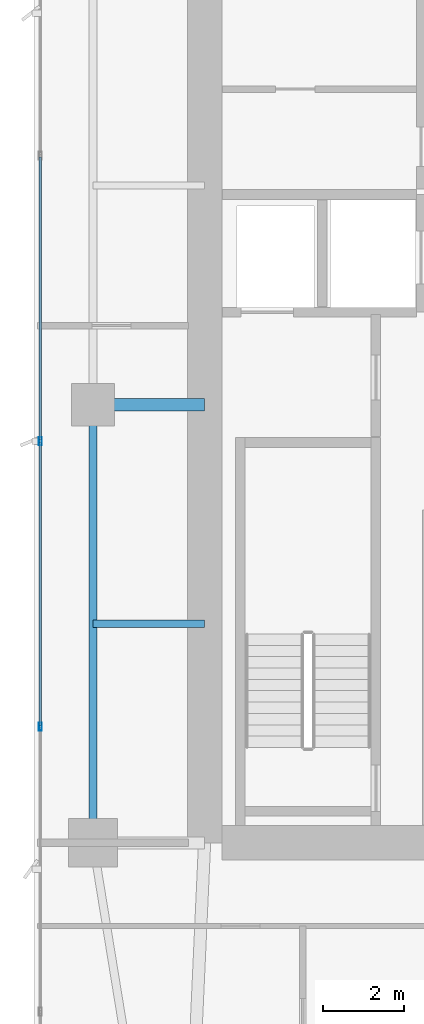
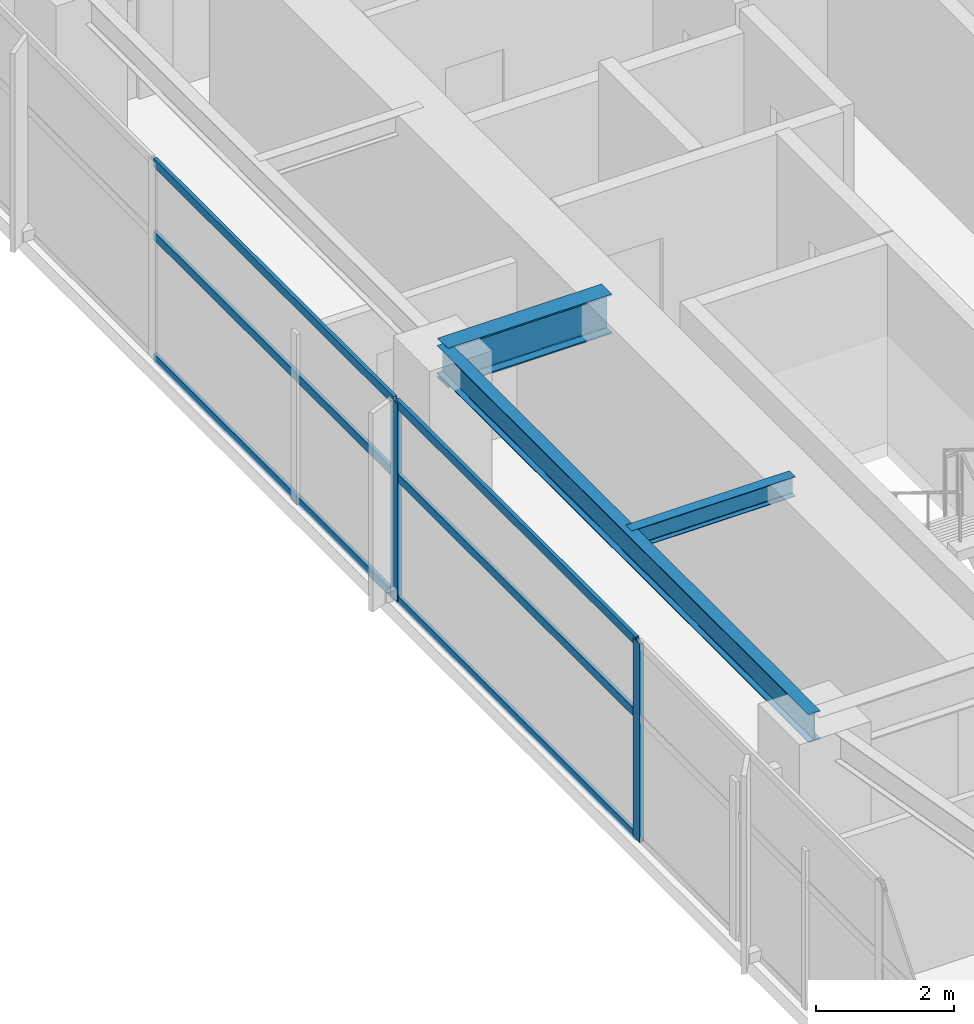
# One storey, part 8 of 28: 8 members, 3 beams, 1 element without a shape of its own.
"""IFC4 building model written with IfcOpenShell, lengths in metres."""

from ifc_helpers import new_model, si_unit, direction, frame, origin, origin_2d, place, context, subcontext, project, spatial, hollow_rectangle, i_section, extrude, material, layer, layer_set, material_profile, profile_set, type_object, element, aggregate, save


model = new_model("IFC4")

# Units and contexts
model_context = context("Model", 3, precision=1e-05, world=origin(), true_north=direction((0.0, 1.0)))
body_context = subcontext(model_context, "Body", "Model", "MODEL_VIEW")
ifc_project = project(units=[si_unit("LENGTHUNIT", "METRE"), si_unit("AREAUNIT", "SQUARE_METRE"), si_unit("VOLUMEUNIT", "CUBIC_METRE"), si_unit("PLANEANGLEUNIT", "RADIAN"), si_unit("MASSUNIT", "GRAM", prefix="KILO")], contexts=[model_context])

# Site, building, storey
site_placement = place(None, origin())
site = spatial("IfcSite", under=ifc_project, at=site_placement, CompositionType="ELEMENT")
building_placement = place(site_placement, origin())
building = spatial("IfcBuilding", under=site, at=building_placement, Name="Calvorn Quay Hotel", CompositionType="ELEMENT")
storey_placement = place(building_placement, frame((0.0, 0.0, 135.39990234375)))
storey = spatial("IfcBuildingStorey", under=building, at=storey_placement, Name="L33", CompositionType="ELEMENT", Elevation=135.39990234375)

# Beams
ifc_material_1 = material(Name="Steel Q390GJC", Category="steel")
ifc_material_profile_1 = material_profile(ifc_material_1, i_section(OverallWidth=0.300048828125, OverallDepth=0.699951171875, WebThickness=0.012939453125, FlangeThickness=0.02392578125, FilletRadius=0.02392578125, at=origin_2d()), Name="HN700x300x13x24")
ifc_profile_set_1 = profile_set([ifc_material_profile_1], Name="Steel Q390GJC")
beam_type_1 = type_object("IfcBeamType", Name="BM-GIRD-MAIN", PredefinedType="BEAM", material=ifc_profile_set_1)
beam_1_placement = place(storey_placement, frame((1.449951171875, 27.60009765625, 3.170166015625), z_axis=(1.0, 0.0, 0.0), x_axis=(0.0, 1.0, 0.0)))
element("IfcBeam", 1, at=beam_1_placement, inside=storey, type_object=beam_type_1, Name="Beam BG-L33-W2", PredefinedType="BEAM", context=body_context, shape_type="SweptSolid", body=[
    extrude(i_section(OverallWidth=0.300048828125, OverallDepth=0.699951171875, WebThickness=0.012939453125, FlangeThickness=0.02392578125, FilletRadius=0.02392578125, at=origin_2d()), origin(), (0.0, 0.0, 1.0), 2.75),
])
ifc_material_2 = material(Name="Steel Q355B", Category="steel")
ifc_material_profile_2 = material_profile(ifc_material_2, i_section(OverallWidth=0.175048828125, OverallDepth=0.35009765625, WebThickness=0.007080078125, FlangeThickness=0.010986328125, FilletRadius=0.013916015625, at=origin_2d()), Name="HN350x175x7x11")
ifc_profile_set_2 = profile_set([ifc_material_profile_2], Name="Steel Q355B")
beam_type_2 = type_object("IfcBeamType", Name="BM-JOIST-SEC", PredefinedType="JOIST", material=ifc_profile_set_2)
beam_2_placement = place(storey_placement, frame((1.449951171875, 22.199951171875, 3.34521484375), z_axis=(1.0, 0.0, 0.0), x_axis=(0.0, 1.0, 0.0)))
element("IfcBeam", 2, at=beam_2_placement, inside=storey, type_object=beam_type_2, Name="Beam BJ-L33-W3", PredefinedType="JOIST", context=body_context, shape_type="SweptSolid", body=[
    extrude(i_section(OverallWidth=0.175048828125, OverallDepth=0.35009765625, WebThickness=0.007080078125, FlangeThickness=0.010986328125, FilletRadius=0.013916015625, at=origin_2d()), origin(), (0.0, 0.0, 1.0), 2.75),
])
ifc_material_3 = material(Name="Steel Q355B", Category="steel")
ifc_material_profile_3 = material_profile(ifc_material_3, i_section(OverallWidth=0.199951171875, OverallDepth=0.5, WebThickness=0.010009765625, FlangeThickness=0.01611328125, FilletRadius=0.01611328125, at=origin_2d()), Name="HN500x200x10x16")
ifc_profile_set_3 = profile_set([ifc_material_profile_3], Name="Steel Q355B")
beam_type_3 = type_object("IfcBeamType", Name="BM-SPANDREL-Z1", PredefinedType="SPANDREL", material=ifc_profile_set_3)
beam_3_placement = place(storey_placement, frame((1.449951171875, 16.800048828125, 3.27001953125), z_axis=(0.0, 1.0, 0.0), x_axis=(-1.0, 0.0, 0.0)))
element("IfcBeam", 3, at=beam_3_placement, inside=storey, type_object=beam_type_3, Name="Beam BSP-L33-W2", PredefinedType="SPANDREL", context=body_context, shape_type="SweptSolid", body=[
    extrude(i_section(OverallWidth=0.199951171875, OverallDepth=0.5, WebThickness=0.010009765625, FlangeThickness=0.01611328125, FilletRadius=0.01611328125, at=origin_2d()), origin(), (0.0, 0.0, 1.0), 10.800048828125),
])

# Curtain wall, members
ifc_material_4 = material(Name="Pale Anodised Aluminium and Low-E Glass", Category="aluminium")
ifc_layer = layer(ifc_material_4, 0.219970703125)
ifc_layer_set = layer_set([ifc_layer], Name="CW-SYS-Z2")
curtain_wall_type = type_object("IfcCurtainWallType", Name="CW-SYS-Z2", PredefinedType="NOTDEFINED", material=ifc_layer_set)
curtain_wall_placement = place(storey_placement, origin())
curtain_wall = element("IfcCurtainWall", 4, at=curtain_wall_placement, inside=storey, type_object=curtain_wall_type, Name="Tower West Curtain Wall (L33)", PredefinedType="NOTDEFINED")
ifc_material_5 = material(Name="Pale Anodised Aluminium 6063-T6", Category="aluminium")
ifc_material_profile_4 = material_profile(ifc_material_5, hollow_rectangle(XDim=0.070068359375, YDim=0.199951171875, WallThickness=0.00390625, at=origin_2d()), Name="ALU-M200x70x4")
ifc_profile_set_4 = profile_set([ifc_material_profile_4], Name="Pale Anodised Aluminium 6063-T6")
member_type_1 = type_object("IfcMemberType", Name="CW-SYS-Z2-MUL", PredefinedType="MULLION", material=ifc_profile_set_4)
member_1_placement = place(storey_placement, frame((0.14990234375, 19.666748046875, 0.0), z_axis=(0.0, 0.0, 1.0), x_axis=(-1.0, 0.0, 0.0)))
member_1 = element("IfcMember", 5, at=member_1_placement, type_object=member_type_1, Name="CW-L33-W mullion 3", PredefinedType="MULLION", context=body_context, shape_type="SweptSolid", body=[
    extrude(hollow_rectangle(XDim=0.070068359375, YDim=0.199951171875, WallThickness=0.00390625, at=origin_2d()), origin(), (0.0, 0.0, 1.0), 3.52001953125),
])
member_2_placement = place(storey_placement, frame((0.14990234375, 26.699951171875, 0.0), z_axis=(0.0, 0.0, 1.0), x_axis=(-1.0, 0.0, 0.0)))
member_2 = element("IfcMember", 6, at=member_2_placement, type_object=member_type_1, Name="CW-L33-W mullion 4", PredefinedType="MULLION", context=body_context, shape_type="SweptSolid", body=[
    extrude(hollow_rectangle(XDim=0.070068359375, YDim=0.199951171875, WallThickness=0.00390625, at=origin_2d()), origin(), (0.0, 0.0, 1.0), 3.52001953125),
])
ifc_material_6 = material(Name="Pale Anodised Aluminium 6063-T6", Category="aluminium")
ifc_material_profile_5 = material_profile(ifc_material_6, hollow_rectangle(XDim=0.06005859375, YDim=0.14990234375, WallThickness=0.00341796875, at=origin_2d()), Name="ALU-T150x60x3.5")
ifc_profile_set_5 = profile_set([ifc_material_profile_5], Name="Pale Anodised Aluminium 6063-T6")
member_type_2 = type_object("IfcMemberType", Name="CW-SYS-Z2-TRN", PredefinedType="USERDEFINED", material=ifc_profile_set_5)
member_3_placement = place(storey_placement, frame((0.14990234375, 19.69677734375, 0.030029296875), z_axis=(0.0, 1.0, 0.0), x_axis=(-1.0, 0.0, 0.0)))
member_3 = element("IfcMember", 7, at=member_3_placement, type_object=member_type_2, Name="CW-L33-W transom 3.1", ObjectType="TRANSOM", PredefinedType="USERDEFINED", context=body_context, shape_type="SweptSolid", body=[
    extrude(hollow_rectangle(XDim=0.06005859375, YDim=0.14990234375, WallThickness=0.00341796875, at=origin_2d()), origin(), (0.0, 0.0, 1.0), 6.97314453125),
])
member_4_placement = place(storey_placement, frame((0.14990234375, 19.69677734375, 2.2001953125), z_axis=(0.0, 1.0, 0.0), x_axis=(-1.0, 0.0, 0.0)))
member_4 = element("IfcMember", 8, at=member_4_placement, type_object=member_type_2, Name="CW-L33-W transom 3.2", ObjectType="TRANSOM", PredefinedType="USERDEFINED", context=body_context, shape_type="SweptSolid", body=[
    extrude(hollow_rectangle(XDim=0.06005859375, YDim=0.14990234375, WallThickness=0.00341796875, at=origin_2d()), origin(), (0.0, 0.0, 1.0), 6.97314453125),
])
member_5_placement = place(storey_placement, frame((0.14990234375, 19.69677734375, 3.489990234375), z_axis=(0.0, 1.0, 0.0), x_axis=(-1.0, 0.0, 0.0)))
member_5 = element("IfcMember", 9, at=member_5_placement, type_object=member_type_2, Name="CW-L33-W transom 3.3", ObjectType="TRANSOM", PredefinedType="USERDEFINED", context=body_context, shape_type="SweptSolid", body=[
    extrude(hollow_rectangle(XDim=0.06005859375, YDim=0.14990234375, WallThickness=0.00341796875, at=origin_2d()), origin(), (0.0, 0.0, 1.0), 6.97314453125),
])
member_6_placement = place(storey_placement, frame((0.14990234375, 26.72998046875, 0.030029296875), z_axis=(0.0, 1.0, 0.0), x_axis=(-1.0, 0.0, 0.0)))
member_6 = element("IfcMember", 10, at=member_6_placement, type_object=member_type_2, Name="CW-L33-W transom 4.1", ObjectType="TRANSOM", PredefinedType="USERDEFINED", context=body_context, shape_type="SweptSolid", body=[
    extrude(hollow_rectangle(XDim=0.06005859375, YDim=0.14990234375, WallThickness=0.00341796875, at=origin_2d()), origin(), (0.0, 0.0, 1.0), 6.973388671875),
])
member_7_placement = place(storey_placement, frame((0.14990234375, 26.72998046875, 2.2001953125), z_axis=(0.0, 1.0, 0.0), x_axis=(-1.0, 0.0, 0.0)))
member_7 = element("IfcMember", 11, at=member_7_placement, type_object=member_type_2, Name="CW-L33-W transom 4.2", ObjectType="TRANSOM", PredefinedType="USERDEFINED", context=body_context, shape_type="SweptSolid", body=[
    extrude(hollow_rectangle(XDim=0.06005859375, YDim=0.14990234375, WallThickness=0.00341796875, at=origin_2d()), origin(), (0.0, 0.0, 1.0), 6.973388671875),
])
member_8_placement = place(storey_placement, frame((0.14990234375, 26.72998046875, 3.489990234375), z_axis=(0.0, 1.0, 0.0), x_axis=(-1.0, 0.0, 0.0)))
member_8 = element("IfcMember", 12, at=member_8_placement, type_object=member_type_2, Name="CW-L33-W transom 4.3", ObjectType="TRANSOM", PredefinedType="USERDEFINED", context=body_context, shape_type="SweptSolid", body=[
    extrude(hollow_rectangle(XDim=0.06005859375, YDim=0.14990234375, WallThickness=0.00341796875, at=origin_2d()), origin(), (0.0, 0.0, 1.0), 6.973388671875),
])
aggregate(curtain_wall, [member_1, member_2, member_3, member_4, member_5, member_6, member_7, member_8])

save(model, "model.ifc")
